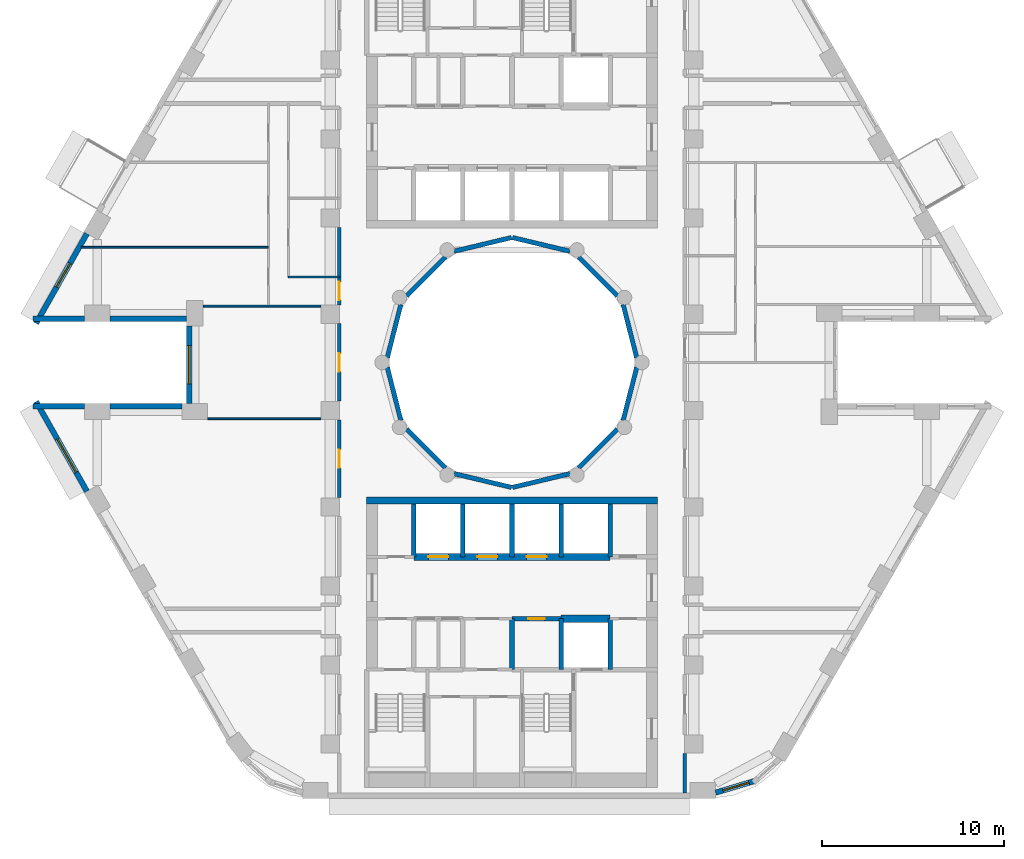
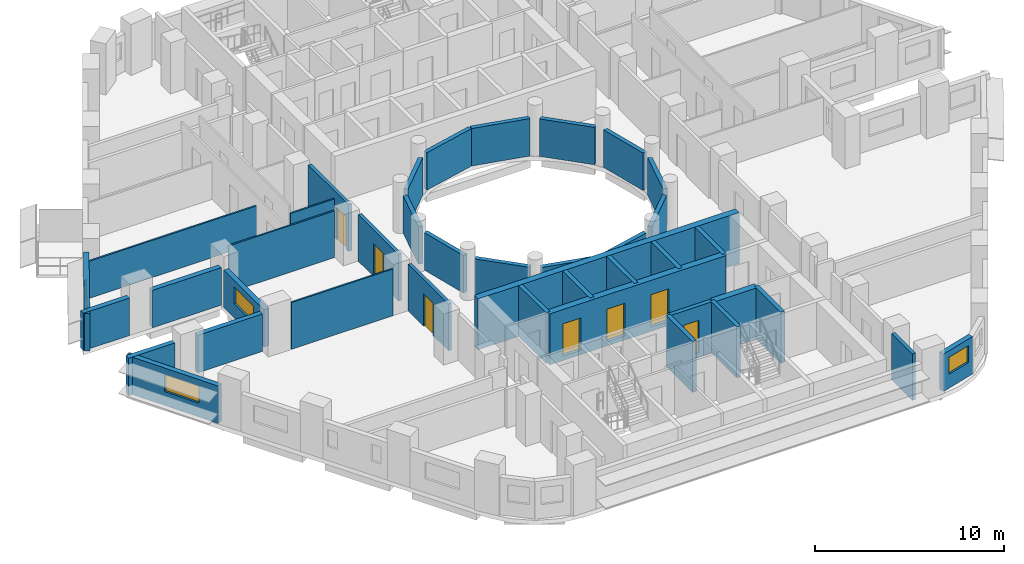
# One storey, part 4 of 14: 40 walls, 7 doors, 4 windows, 11 openings.
"""IFC4 building model written with IfcOpenShell, lengths in metres."""

from ifc_helpers import new_model, si_unit, direction, frame, frame_2d, origin, place, context, subcontext, project, spatial, rectangle, extrude, material, layer, layer_set, type_object, element, fill, save


model = new_model("IFC4")

# Units and contexts
model_context = context("Model", 3, precision=1e-05, world=origin(), true_north=direction((0.0, 1.0)))
body_context = subcontext(model_context, "Body", "Model", "MODEL_VIEW")
ifc_project = project(units=[si_unit("LENGTHUNIT", "METRE"), si_unit("AREAUNIT", "SQUARE_METRE"), si_unit("VOLUMEUNIT", "CUBIC_METRE"), si_unit("PLANEANGLEUNIT", "RADIAN"), si_unit("MASSUNIT", "GRAM", prefix="KILO")], contexts=[model_context])

# Site, building, storey
site_placement = place(None, origin())
site = spatial("IfcSite", under=ifc_project, at=site_placement, CompositionType="ELEMENT")
building_placement = place(site_placement, origin())
building = spatial("IfcBuilding", under=site, at=building_placement, Name="Nakaniwa Court", CompositionType="ELEMENT")
storey_placement = place(building_placement, frame((0.0, 0.0, 114.0)))
storey = spatial("IfcBuildingStorey", under=building, at=storey_placement, Name="L30", CompositionType="ELEMENT", Elevation=114.0)

# Wall
ifc_material_1 = material(Name="Acoustic double stud partition")
ifc_layer_1 = layer(ifc_material_1, 0.199951171875)
ifc_layer_set_1 = layer_set([ifc_layer_1], Name="Acoustic double stud partition")
wall_type_1 = type_object("IfcWallType", Name="Acoustic double stud partition 200", PredefinedType="PARTITIONING", material=ifc_layer_set_1)
wall_1_placement = place(storey_placement, frame((89.5, 56.300048828125, 0.0), z_axis=(0.0, 0.0, 1.0), x_axis=(0.0, 1.0, 0.0)))
element("IfcWall", 1, at=wall_1_placement, inside=storey, type_object=wall_type_1, Name="Partition PW-069", PredefinedType="PARTITIONING", context=body_context, shape_type="SweptSolid", body=[
    extrude(rectangle(XDim=2.182861328125, YDim=0.199951171875, at=frame_2d((1.09130859375, 0.0))), origin(), (0.0, 0.0, 1.0), 3.02490234375),
])

# Wall, opening, door
wall_2_placement = place(storey_placement, frame((70.5, 72.56689453125, 0.0), z_axis=(0.0, 0.0, 1.0), x_axis=(0.0, 1.0, 0.0)))
wall_2 = element("IfcWall", 2, at=wall_2_placement, inside=storey, type_object=wall_type_1, Name="Partition PW-103", PredefinedType="PARTITIONING", context=body_context, shape_type="SweptSolid", body=[
    extrude(rectangle(XDim=4.26611328125, YDim=0.199951171875, at=frame_2d((2.133056640625, 0.0))), origin(), (0.0, 0.0, 1.0), 3.02490234375),
])
opening_1_placement = place(wall_2_placement, frame((1.633056640625, 0.0, 0.0)))
opening_1 = element("IfcOpeningElement", 3, at=opening_1_placement, cuts=wall_2, Name="Opening D-02-05", PredefinedType="OPENING", context=body_context, shape_type="SweptSolid", body=[
    extrude(rectangle(XDim=1.0, YDim=2.10009765625, at=frame_2d((0.5, 1.050048828125))), frame((0.0, 0.10986328125, 0.0), z_axis=(0.0, -1.0, 0.0), x_axis=(1.0, 0.0, 0.0)), (0.0, 0.0, 1.0), 0.219970703125),
])
ifc_material_2 = material(Name="Solid core timber door set, black veneer", Category="wood")
door_type_1 = type_object("IfcDoorType", Name="Internal door 1000", OperationType="NOTDEFINED", PredefinedType="DOOR", material=ifc_material_2)
door_1_placement = place(opening_1_placement, origin())
door_1 = element("IfcDoor", 4, at=door_1_placement, inside=storey, type_object=door_type_1, Name="Door D-02-05 L30-037", OperationType="SINGLE_SWING_RIGHT", OverallHeight=2.10009765625, OverallWidth=1.0, PredefinedType="DOOR", context=body_context, shape_type="SweptSolid", body=[
    extrude(rectangle(XDim=1.0, YDim=2.10009765625, at=frame_2d((0.5, 1.050048828125))), frame((0.0, 0.02490234375, 0.0), z_axis=(0.0, -1.0, 0.0), x_axis=(1.0, 0.0, 0.0)), (0.0, 0.0, 1.0), 0.050048828125),
])
fill(opening_1, door_1)

wall_3_placement = place(storey_placement, frame((70.5, 77.866943359375, 0.0), z_axis=(0.0, 0.0, 1.0), x_axis=(0.0, 1.0, 0.0)))
wall_3 = element("IfcWall", 5, at=wall_3_placement, inside=storey, type_object=wall_type_1, Name="Partition PW-104", PredefinedType="PARTITIONING", context=body_context, shape_type="SweptSolid", body=[
    extrude(rectangle(XDim=4.26611328125, YDim=0.199951171875, at=frame_2d((2.133056640625, 0.0))), origin(), (0.0, 0.0, 1.0), 3.02490234375),
])
opening_2_placement = place(wall_3_placement, frame((1.633056640625, 0.0, 0.0)))
opening_2 = element("IfcOpeningElement", 6, at=opening_2_placement, cuts=wall_3, Name="Opening D-02-06", PredefinedType="OPENING", context=body_context, shape_type="SweptSolid", body=[
    extrude(rectangle(XDim=1.0, YDim=2.10009765625, at=frame_2d((0.5, 1.050048828125))), frame((0.0, 0.10986328125, 0.0), z_axis=(0.0, -1.0, 0.0), x_axis=(1.0, 0.0, 0.0)), (0.0, 0.0, 1.0), 0.219970703125),
])
door_2_placement = place(opening_2_placement, origin())
door_2 = element("IfcDoor", 7, at=door_2_placement, inside=storey, type_object=door_type_1, Name="Door D-02-06 L30-038", OperationType="SINGLE_SWING_LEFT", OverallHeight=2.10009765625, OverallWidth=1.0, PredefinedType="DOOR", context=body_context, shape_type="SweptSolid", body=[
    extrude(rectangle(XDim=1.0, YDim=2.10009765625, at=frame_2d((0.5, 1.050048828125))), frame((0.0, 0.02490234375, 0.0), z_axis=(0.0, -1.0, 0.0), x_axis=(1.0, 0.0, 0.0)), (0.0, 0.0, 1.0), 0.050048828125),
])
fill(opening_2, door_2)

wall_4_placement = place(storey_placement, frame((70.5, 83.1669921875, 0.0), z_axis=(0.0, 0.0, 1.0), x_axis=(0.0, 1.0, 0.0)))
wall_4 = element("IfcWall", 8, at=wall_4_placement, inside=storey, type_object=wall_type_1, Name="Partition PW-105", PredefinedType="PARTITIONING", context=body_context, shape_type="SweptSolid", body=[
    extrude(rectangle(XDim=4.26611328125, YDim=0.199951171875, at=frame_2d((2.133056640625, 0.0))), origin(), (0.0, 0.0, 1.0), 3.02490234375),
])
opening_3_placement = place(wall_4_placement, frame((0.26806640625, 0.0, 0.0)))
opening_3 = element("IfcOpeningElement", 9, at=opening_3_placement, cuts=wall_4, Name="Opening D-01-02", PredefinedType="OPENING", context=body_context, shape_type="SweptSolid", body=[
    extrude(rectangle(XDim=1.0, YDim=2.10009765625, at=frame_2d((0.5, 1.050048828125))), frame((0.0, 0.10986328125, 0.0), z_axis=(0.0, -1.0, 0.0), x_axis=(1.0, 0.0, 0.0)), (0.0, 0.0, 1.0), 0.219970703125),
])
door_type_2 = type_object("IfcDoorType", Name="Flat entrance door 1000", OperationType="NOTDEFINED", PredefinedType="DOOR", material=ifc_material_2)
door_3_placement = place(opening_3_placement, origin())
door_3 = element("IfcDoor", 10, at=door_3_placement, inside=storey, type_object=door_type_2, Name="Door D-01-02 L30-039", OperationType="SINGLE_SWING_RIGHT", OverallHeight=2.10009765625, OverallWidth=1.0, PredefinedType="DOOR", context=body_context, shape_type="SweptSolid", body=[
    extrude(rectangle(XDim=1.0, YDim=2.10009765625, at=frame_2d((0.5, 1.050048828125))), frame((0.0, 0.02490234375, 0.0), z_axis=(0.0, -1.0, 0.0), x_axis=(1.0, 0.0, 0.0)), (0.0, 0.0, 1.0), 0.050048828125),
])
fill(opening_3, door_3)

# Wall, opening, window
ifc_material_3 = material(Name="Charcoal ceramic cladding")
ifc_layer_2 = layer(ifc_material_3, 0.02, Name="Ceramic cladding")
ifc_material_4 = material(Name="Ventilated air cavity")
ifc_layer_3 = layer(ifc_material_4, 0.04, ventilated=True, Name="Ventilated cavity")
ifc_material_5 = material(Name="Mineral wool insulation")
ifc_layer_4 = layer(ifc_material_5, 0.1, Name="Insulation")
ifc_material_6 = material(Name="Cement bonded sheathing board")
ifc_layer_5 = layer(ifc_material_6, 0.012, Name="Sheathing")
ifc_material_7 = material(Name="Cold-formed galvanised stud frame with mineral wool infill")
ifc_layer_6 = layer(ifc_material_7, 0.1, Name="Stud frame")
ifc_material_8 = material(Name="Fire-rated gypsum plasterboard lining")
ifc_layer_7 = layer(ifc_material_8, 0.028, Name="Lining")
ifc_layer_set_2 = layer_set([ifc_layer_2, ifc_layer_3, ifc_layer_4, ifc_layer_5, ifc_layer_6, ifc_layer_7], Name="Charcoal ceramic faced external wall system")
wall_type_2 = type_object("IfcWallType", Name="Black ceramic faced external wall 300", PredefinedType="SOLIDWALL", material=ifc_layer_set_2)
wall_5_placement = place(storey_placement, frame((56.609375, 87.09375, 0.0), z_axis=(0.0, 0.0, 1.0), x_axis=(-0.492456858874, -0.870336855561, 0.0)))
wall_5 = element("IfcWall", 11, at=wall_5_placement, inside=storey, type_object=wall_type_2, Name="L30 external wall 14", PredefinedType="SOLIDWALL", context=body_context, shape_type="SweptSolid", body=[
    extrude(rectangle(XDim=5.676513671875, YDim=0.300048828125, at=frame_2d((2.83837890625, 0.0))), origin(), (0.0, 0.0, 1.0), 2.425048828125),
])
opening_4_placement = place(wall_5_placement, frame((1.8828125, 0.0, 0.89990234375)))
opening_4 = element("IfcOpeningElement", 12, at=opening_4_placement, cuts=wall_5, Name="Opening W5.12", PredefinedType="OPENING", context=body_context, shape_type="SweptSolid", body=[
    extrude(rectangle(XDim=1.5, YDim=1.10009765625, at=frame_2d((0.75, 0.550048828125))), frame((0.0, 0.159912109375, 0.0), z_axis=(0.0, -1.0, 0.0), x_axis=(1.0, 0.0, 0.0)), (0.0, 0.0, 1.0), 0.320068359375),
])
ifc_material_9 = material(Name="Black anodised aluminium frame with dark low-E laminated double glazing", Category="aluminium")
window_type_1 = type_object("IfcWindowType", Name="Dark glass window 1500x1100 sill 900", PartitioningType="SINGLE_PANEL", PredefinedType="WINDOW", material=ifc_material_9)
window_1_placement = place(opening_4_placement, origin())
window_1 = element("IfcWindow", 13, at=window_1_placement, inside=storey, type_object=window_type_1, Name="L30 bedroom window 14-1", OverallHeight=1.10009765625, OverallWidth=1.5, PartitioningType="SINGLE_PANEL", PredefinedType="WINDOW", context=body_context, shape_type="SweptSolid", body=[
    extrude(rectangle(XDim=1.5, YDim=1.10009765625, at=frame_2d((0.75, 0.550048828125))), frame((0.0, 0.030029296875, 0.0), z_axis=(0.0, -1.0, 0.0), x_axis=(1.0, 0.0, 0.0)), (0.0, 0.0, 1.0), 0.06005859375),
])
fill(opening_4, window_1)

# Walls
wall_6_placement = place(storey_placement, frame((53.643310546875, 82.39990234375, 0.0), z_axis=(0.0, 0.0, 1.0), x_axis=(1.0, 0.0, 0.0)))
element("IfcWall", 14, at=wall_6_placement, inside=storey, type_object=wall_type_2, Name="L30 external wall 15", PredefinedType="SOLIDWALL", context=body_context, shape_type="SweptSolid", body=[
    extrude(rectangle(XDim=2.837890625, YDim=0.300048828125, at=frame_2d((1.4189453125, 0.0))), origin(), (0.0, 0.0, 1.0), 2.425048828125),
])
wall_7_placement = place(storey_placement, frame((57.873046875, 82.39990234375, 0.0), z_axis=(0.0, 0.0, 1.0), x_axis=(1.0, 0.0, 0.0)))
element("IfcWall", 15, at=wall_7_placement, inside=storey, type_object=wall_type_2, Name="L30 external wall 16", PredefinedType="SOLIDWALL", context=body_context, shape_type="SweptSolid", body=[
    extrude(rectangle(XDim=4.22265625, YDim=0.300048828125, at=frame_2d((2.111328125, 0.0))), origin(), (0.0, 0.0, 1.0), 2.425048828125),
])

# Wall, opening, window
wall_8_placement = place(storey_placement, frame((62.24169921875, 82.00390625, 0.0), z_axis=(0.0, 0.0, 1.0), x_axis=(0.0, -1.0, 0.0)))
wall_8 = element("IfcWall", 16, at=wall_8_placement, inside=storey, type_object=wall_type_2, Name="L30 external wall 17", PredefinedType="SOLIDWALL", context=body_context, shape_type="SweptSolid", body=[
    extrude(rectangle(XDim=4.2578125, YDim=0.300048828125, at=frame_2d((2.12890625, 0.0))), origin(), (0.0, 0.0, 1.0), 2.425048828125),
])
opening_5_placement = place(wall_8_placement, frame((1.0791015625, 0.0, 0.89990234375)))
opening_5 = element("IfcOpeningElement", 17, at=opening_5_placement, cuts=wall_8, Name="Opening W7.13", PredefinedType="OPENING", context=body_context, shape_type="SweptSolid", body=[
    extrude(rectangle(XDim=2.10009765625, YDim=1.10009765625, at=frame_2d((1.050048828125, 0.550048828125))), frame((0.0, 0.159912109375, 0.0), z_axis=(0.0, -1.0, 0.0), x_axis=(1.0, 0.0, 0.0)), (0.0, 0.0, 1.0), 0.320068359375),
])
window_type_2 = type_object("IfcWindowType", Name="Dark glass window 2100x1100 sill 900", PartitioningType="SINGLE_PANEL", PredefinedType="WINDOW", material=ifc_material_9)
window_2_placement = place(opening_5_placement, origin())
window_2 = element("IfcWindow", 18, at=window_2_placement, inside=storey, type_object=window_type_2, Name="L30 habitable room window 17-0", OverallHeight=1.10009765625, OverallWidth=2.10009765625, PartitioningType="SINGLE_PANEL", PredefinedType="WINDOW", context=body_context, shape_type="SweptSolid", body=[
    extrude(rectangle(XDim=2.10009765625, YDim=1.10009765625, at=frame_2d((1.050048828125, 0.550048828125))), frame((0.0, 0.030029296875, 0.0), z_axis=(0.0, -1.0, 0.0), x_axis=(1.0, 0.0, 0.0)), (0.0, 0.0, 1.0), 0.06005859375),
])
fill(opening_5, window_2)

# Walls
wall_9_placement = place(storey_placement, frame((61.845703125, 77.60009765625, 0.0), z_axis=(0.0, 0.0, 1.0), x_axis=(-1.0, 0.0, 0.0)))
element("IfcWall", 19, at=wall_9_placement, inside=storey, type_object=wall_type_2, Name="L30 external wall 18", PredefinedType="SOLIDWALL", context=body_context, shape_type="SweptSolid", body=[
    extrude(rectangle(XDim=3.97265625, YDim=0.300048828125, at=frame_2d((1.986328125, 0.0))), origin(), (0.0, 0.0, 1.0), 2.425048828125),
])
wall_10_placement = place(storey_placement, frame((56.481201171875, 77.60009765625, 0.0), z_axis=(0.0, 0.0, 1.0), x_axis=(-1.0, 0.0, 0.0)))
element("IfcWall", 20, at=wall_10_placement, inside=storey, type_object=wall_type_2, Name="L30 external wall 19", PredefinedType="SOLIDWALL", context=body_context, shape_type="SweptSolid", body=[
    extrude(rectangle(XDim=2.837890625, YDim=0.300048828125, at=frame_2d((1.4189453125, 0.0))), origin(), (0.0, 0.0, 1.0), 2.425048828125),
])

# Wall, opening, window
wall_11_placement = place(storey_placement, frame((53.81396484375, 77.8466796875, 0.0), z_axis=(0.0, 0.0, 1.0), x_axis=(0.492456858874, -0.870336855561, 0.0)))
wall_11 = element("IfcWall", 21, at=wall_11_placement, inside=storey, type_object=wall_type_2, Name="L30 external wall 20", PredefinedType="SOLIDWALL", context=body_context, shape_type="SweptSolid", body=[
    extrude(rectangle(XDim=5.676513671875, YDim=0.300048828125, at=frame_2d((2.83837890625, 0.0))), origin(), (0.0, 0.0, 1.0), 2.425048828125),
])
opening_6_placement = place(wall_11_placement, frame((2.367431640625, 0.0, 0.89990234375)))
opening_6 = element("IfcOpeningElement", 22, at=opening_6_placement, cuts=wall_11, Name="Opening W7.14", PredefinedType="OPENING", context=body_context, shape_type="SweptSolid", body=[
    extrude(rectangle(XDim=2.10009765625, YDim=1.10009765625, at=frame_2d((1.050048828125, 0.550048828125))), frame((0.0, 0.159912109375, 0.0), z_axis=(0.0, -1.0, 0.0), x_axis=(1.0, 0.0, 0.0)), (0.0, 0.0, 1.0), 0.320068359375),
])
window_3_placement = place(opening_6_placement, origin())
window_3 = element("IfcWindow", 23, at=window_3_placement, inside=storey, type_object=window_type_2, Name="L30 habitable room window 20-0", OverallHeight=1.10009765625, OverallWidth=2.10009765625, PartitioningType="SINGLE_PANEL", PredefinedType="WINDOW", context=body_context, shape_type="SweptSolid", body=[
    extrude(rectangle(XDim=2.10009765625, YDim=1.10009765625, at=frame_2d((1.050048828125, 0.550048828125))), frame((0.0, 0.030029296875, 0.0), z_axis=(0.0, -1.0, 0.0), x_axis=(1.0, 0.0, 0.0)), (0.0, 0.0, 1.0), 0.06005859375),
])
fill(opening_6, window_3)

wall_12_placement = place(storey_placement, frame((91.203369140625, 56.329833984375, 0.0), z_axis=(0.0, 0.0, 1.0), x_axis=(0.95847736903, 0.285168604614, 0.0)))
wall_12 = element("IfcWall", 24, at=wall_12_placement, inside=storey, type_object=wall_type_2, Name="L30 external wall 27", PredefinedType="SOLIDWALL", context=body_context, shape_type="SweptSolid", body=[
    extrude(rectangle(XDim=2.261962890625, YDim=0.300048828125, at=frame_2d((1.130859375, 0.0))), origin(), (0.0, 0.0, 1.0), 2.425048828125),
])
opening_7_placement = place(wall_12_placement, frame((0.418701171875, 0.0, 0.89990234375)))
opening_7 = element("IfcOpeningElement", 25, at=opening_7_placement, cuts=wall_12, Name="Opening W5.21", PredefinedType="OPENING", context=body_context, shape_type="SweptSolid", body=[
    extrude(rectangle(XDim=1.5, YDim=1.10009765625, at=frame_2d((0.75, 0.550048828125))), frame((0.0, 0.159912109375, 0.0), z_axis=(0.0, -1.0, 0.0), x_axis=(1.0, 0.0, 0.0)), (0.0, 0.0, 1.0), 0.320068359375),
])
window_4_placement = place(opening_7_placement, origin())
window_4 = element("IfcWindow", 26, at=window_4_placement, inside=storey, type_object=window_type_1, Name="L30 habitable room window 27-0", OverallHeight=1.10009765625, OverallWidth=1.5, PartitioningType="SINGLE_PANEL", PredefinedType="WINDOW", context=body_context, shape_type="SweptSolid", body=[
    extrude(rectangle(XDim=1.5, YDim=1.10009765625, at=frame_2d((0.75, 0.550048828125))), frame((0.0, 0.030029296875, 0.0), z_axis=(0.0, -1.0, 0.0), x_axis=(1.0, 0.0, 0.0)), (0.0, 0.0, 1.0), 0.06005859375),
])
fill(opening_7, window_4)

# Walls
ifc_layer_8 = layer(ifc_material_3, 0.02, Name="Ceramic cladding")
ifc_layer_9 = layer(ifc_material_4, 0.04, ventilated=True, Name="Ventilated cavity")
ifc_layer_10 = layer(ifc_material_5, 0.075, Name="Insulation")
ifc_layer_11 = layer(ifc_material_6, 0.012, Name="Sheathing")
ifc_layer_12 = layer(ifc_material_7, 0.075, Name="Stud frame")
ifc_layer_13 = layer(ifc_material_8, 0.028, Name="Lining")
ifc_layer_set_3 = layer_set([ifc_layer_8, ifc_layer_9, ifc_layer_10, ifc_layer_11, ifc_layer_12, ifc_layer_13], Name="Charcoal ceramic faced external wall system")
wall_type_3 = type_object("IfcWallType", Name="Charcoal ceramic faced well wall 250", PredefinedType="SOLIDWALL", material=ifc_layer_set_3)
wall_13_placement = place(storey_placement, frame((86.8603515625, 79.72998046875, 0.0), z_axis=(0.0, 0.0, 1.0), x_axis=(-0.247055971283, -0.969001211069, 0.0)))
element("IfcWall", 27, at=wall_13_placement, inside=storey, type_object=wall_type_3, Name="L30 external wall 36", PredefinedType="SOLIDWALL", context=body_context, shape_type="SweptSolid", body=[
    extrude(rectangle(XDim=3.010009765625, YDim=0.25, at=frame_2d((1.5048828125, 0.0))), origin(), (0.0, 0.0, 1.0), 2.425048828125),
])
wall_14_placement = place(storey_placement, frame((85.8056640625, 76.339111328125, 0.0), z_axis=(0.0, 0.0, 1.0), x_axis=(-0.707106781187, -0.707106781187, 0.0)))
element("IfcWall", 28, at=wall_14_placement, inside=storey, type_object=wall_type_3, Name="L30 external wall 37", PredefinedType="SOLIDWALL", context=body_context, shape_type="SweptSolid", body=[
    extrude(rectangle(XDim=3.033203125, YDim=0.25, at=frame_2d((1.5166015625, 0.0))), origin(), (0.0, 0.0, 1.0), 2.425048828125),
])
for number, where, z_axis, x_axis, name in (
    (29, (83.186279296875, 73.880615234375, 0.0), (0.0, 0.0, 1.0), (-0.972773113459, -0.231759508395, 0.0), "L30 external wall 38"),
    (30, (79.970947265625, 73.12841796875, 0.0), (0.0, 0.0, 1.0), (-0.972773113459, 0.231759508395, 0.0), "L30 external wall 39"),
):
    element("IfcWall", number, at=place(storey_placement, frame(where, z_axis=z_axis, x_axis=x_axis)), inside=storey, type_object=wall_type_3, Name=name, PredefinedType="SOLIDWALL", context=body_context, shape_type="SweptSolid", body=[
        extrude(rectangle(XDim=3.24560546875, YDim=0.25, at=frame_2d((1.622802734375, 0.0))), origin(), (0.0, 0.0, 1.0), 2.425048828125),
    ])
wall_15_placement = place(storey_placement, frame((76.339111328125, 74.1943359375, 0.0), z_axis=(0.0, 0.0, 1.0), x_axis=(-0.707106781187, 0.707106781187, 0.0)))
element("IfcWall", 31, at=wall_15_placement, inside=storey, type_object=wall_type_3, Name="L30 external wall 40", PredefinedType="SOLIDWALL", context=body_context, shape_type="SweptSolid", body=[
    extrude(rectangle(XDim=3.033203125, YDim=0.25, at=frame_2d((1.5166015625, 0.0))), origin(), (0.0, 0.0, 1.0), 2.425048828125),
])
for number, where, z_axis, x_axis, name in (
    (32, (73.88330078125, 76.813232421875, 0.0), (0.0, 0.0, 1.0), (-0.247055971283, 0.969001211069, 0.0), "L30 external wall 41"),
    (33, (73.1396484375, 80.27001953125, 0.0), (0.0, 0.0, 1.0), (0.247055971283, 0.969001211069, 0.0), "L30 external wall 42"),
):
    element("IfcWall", number, at=place(storey_placement, frame(where, z_axis=z_axis, x_axis=x_axis)), inside=storey, type_object=wall_type_3, Name=name, PredefinedType="SOLIDWALL", context=body_context, shape_type="SweptSolid", body=[
        extrude(rectangle(XDim=3.010009765625, YDim=0.25, at=frame_2d((1.5048828125, 0.0))), origin(), (0.0, 0.0, 1.0), 2.425048828125),
    ])
wall_16_placement = place(storey_placement, frame((74.1943359375, 83.660888671875, 0.0), z_axis=(0.0, 0.0, 1.0), x_axis=(0.707106781187, 0.707106781187, 0.0)))
element("IfcWall", 34, at=wall_16_placement, inside=storey, type_object=wall_type_3, Name="L30 external wall 43", PredefinedType="SOLIDWALL", context=body_context, shape_type="SweptSolid", body=[
    extrude(rectangle(XDim=3.033203125, YDim=0.25, at=frame_2d((1.5166015625, 0.0))), origin(), (0.0, 0.0, 1.0), 2.425048828125),
])
for number, where, z_axis, x_axis, name in (
    (35, (76.813720703125, 86.119384765625, 0.0), (0.0, 0.0, 1.0), (0.972773113459, 0.231759508395, 0.0), "L30 external wall 44"),
    (36, (80.029052734375, 86.87158203125, 0.0), (0.0, 0.0, 1.0), (0.972773113459, -0.231759508395, 0.0), "L30 external wall 45"),
):
    element("IfcWall", number, at=place(storey_placement, frame(where, z_axis=z_axis, x_axis=x_axis)), inside=storey, type_object=wall_type_3, Name=name, PredefinedType="SOLIDWALL", context=body_context, shape_type="SweptSolid", body=[
        extrude(rectangle(XDim=3.24560546875, YDim=0.25, at=frame_2d((1.622802734375, 0.0))), origin(), (0.0, 0.0, 1.0), 2.425048828125),
    ])
wall_17_placement = place(storey_placement, frame((83.660888671875, 85.8056640625, 0.0), z_axis=(0.0, 0.0, 1.0), x_axis=(0.707106781187, -0.707106781187, 0.0)))
element("IfcWall", 37, at=wall_17_placement, inside=storey, type_object=wall_type_3, Name="L30 external wall 46", PredefinedType="SOLIDWALL", context=body_context, shape_type="SweptSolid", body=[
    extrude(rectangle(XDim=3.033203125, YDim=0.25, at=frame_2d((1.5166015625, 0.0))), origin(), (0.0, 0.0, 1.0), 2.425048828125),
])
wall_18_placement = place(storey_placement, frame((86.11669921875, 83.186767578125, 0.0), z_axis=(0.0, 0.0, 1.0), x_axis=(0.247055971283, -0.969001211069, 0.0)))
element("IfcWall", 38, at=wall_18_placement, inside=storey, type_object=wall_type_3, Name="L30 external wall 47", PredefinedType="SOLIDWALL", context=body_context, shape_type="SweptSolid", body=[
    extrude(rectangle(XDim=3.010009765625, YDim=0.25, at=frame_2d((1.5048828125, 0.0))), origin(), (0.0, 0.0, 1.0), 2.425048828125),
])

# Wall, openings, doors
ifc_material_10 = material(Name="Concrete C80/100", Category="concrete")
ifc_layer_14 = layer(ifc_material_10, 0.39990234375)
ifc_layer_set_4 = layer_set([ifc_layer_14], Name="Concrete C80/100")
wall_type_4 = type_object("IfcWallType", Name="Concrete core spine wall 400 C80", PredefinedType="SHEAR", material=ifc_layer_set_4)
wall_19_placement = place(storey_placement, frame((74.60009765625, 69.300048828125, -0.27490234375), z_axis=(0.0, 0.0, 1.0), x_axis=(1.0, 0.0, 0.0)))
wall_19 = element("IfcWall", 39, at=wall_19_placement, inside=storey, type_object=wall_type_4, Name="Core wall SW-41", PredefinedType="SHEAR", context=body_context, shape_type="SweptSolid", body=[
    extrude(rectangle(XDim=10.7998046875, YDim=0.39990234375, at=frame_2d((5.39990234375, 0.0))), origin(), (0.0, 0.0, 1.0), 3.2998046875),
])
opening_8_placement = place(wall_19_placement, frame((0.800048828125, 0.0, 0.27490234375)))
opening_8 = element("IfcOpeningElement", 40, at=opening_8_placement, cuts=wall_19, Name="Opening LD05", PredefinedType="OPENING", context=body_context, shape_type="SweptSolid", body=[
    extrude(rectangle(XDim=1.10009765625, YDim=2.10009765625, at=frame_2d((0.550048828125, 1.050048828125))), frame((0.0, 0.2099609375, 0.0), z_axis=(0.0, -1.0, 0.0), x_axis=(1.0, 0.0, 0.0)), (0.0, 0.0, 1.0), 0.419921875),
])
opening_9_placement = place(wall_19_placement, frame((3.5, 0.0, 0.27490234375)))
opening_9 = element("IfcOpeningElement", 41, at=opening_9_placement, cuts=wall_19, Name="Opening LD06", PredefinedType="OPENING", context=body_context, shape_type="SweptSolid", body=[
    extrude(rectangle(XDim=1.10009765625, YDim=2.10009765625, at=frame_2d((0.550048828125, 1.050048828125))), frame((0.0, 0.2099609375, 0.0), z_axis=(0.0, -1.0, 0.0), x_axis=(1.0, 0.0, 0.0)), (0.0, 0.0, 1.0), 0.419921875),
])
opening_10_placement = place(wall_19_placement, frame((6.199951171875, 0.0, 0.27490234375)))
opening_10 = element("IfcOpeningElement", 42, at=opening_10_placement, cuts=wall_19, Name="Opening LD07", PredefinedType="OPENING", context=body_context, shape_type="SweptSolid", body=[
    extrude(rectangle(XDim=1.10009765625, YDim=2.10009765625, at=frame_2d((0.550048828125, 1.050048828125))), frame((0.0, 0.2099609375, 0.0), z_axis=(0.0, -1.0, 0.0), x_axis=(1.0, 0.0, 0.0)), (0.0, 0.0, 1.0), 0.419921875),
])
ifc_material_11 = material(Name="Stainless steel sliding lift landing door", Category="steel")
door_type_3 = type_object("IfcDoorType", Name="Lift landing door 1100", OperationType="NOTDEFINED", PredefinedType="DOOR", material=ifc_material_11)
door_4_placement = place(opening_8_placement, origin())
door_4 = element("IfcDoor", 43, at=door_4_placement, inside=storey, type_object=door_type_3, Name="Lift landing door LD05 L30-005", OperationType="SLIDING_TO_LEFT", OverallHeight=2.10009765625, OverallWidth=1.10009765625, PredefinedType="DOOR", context=body_context, shape_type="SweptSolid", body=[
    extrude(rectangle(XDim=1.10009765625, YDim=2.10009765625, at=frame_2d((0.550048828125, 1.050048828125))), frame((0.0, 0.02490234375, 0.0), z_axis=(0.0, -1.0, 0.0), x_axis=(1.0, 0.0, 0.0)), (0.0, 0.0, 1.0), 0.050048828125),
])
fill(opening_8, door_4)
door_5_placement = place(opening_9_placement, origin())
door_5 = element("IfcDoor", 44, at=door_5_placement, inside=storey, type_object=door_type_3, Name="Lift landing door LD06 L30-006", OperationType="SLIDING_TO_LEFT", OverallHeight=2.10009765625, OverallWidth=1.10009765625, PredefinedType="DOOR", context=body_context, shape_type="SweptSolid", body=[
    extrude(rectangle(XDim=1.10009765625, YDim=2.10009765625, at=frame_2d((0.550048828125, 1.050048828125))), frame((0.0, 0.02490234375, 0.0), z_axis=(0.0, -1.0, 0.0), x_axis=(1.0, 0.0, 0.0)), (0.0, 0.0, 1.0), 0.050048828125),
])
fill(opening_9, door_5)
door_6_placement = place(opening_10_placement, origin())
door_6 = element("IfcDoor", 45, at=door_6_placement, inside=storey, type_object=door_type_3, Name="Lift landing door LD07 L30-007", OperationType="SLIDING_TO_LEFT", OverallHeight=2.10009765625, OverallWidth=1.10009765625, PredefinedType="DOOR", context=body_context, shape_type="SweptSolid", body=[
    extrude(rectangle(XDim=1.10009765625, YDim=2.10009765625, at=frame_2d((0.550048828125, 1.050048828125))), frame((0.0, 0.02490234375, 0.0), z_axis=(0.0, -1.0, 0.0), x_axis=(1.0, 0.0, 0.0)), (0.0, 0.0, 1.0), 0.050048828125),
])
fill(opening_10, door_6)

# Walls
wall_20_placement = place(storey_placement, frame((82.697021484375, 65.89990234375, -0.27490234375), z_axis=(0.0, 0.0, 1.0), x_axis=(1.0, 0.0, 0.0)))
element("IfcWall", 46, at=wall_20_placement, inside=storey, type_object=wall_type_4, Name="Core wall SW-55", PredefinedType="SHEAR", context=body_context, shape_type="SweptSolid", body=[
    extrude(rectangle(XDim=2.7060546875, YDim=0.39990234375, at=frame_2d((1.35302734375, 0.0))), origin(), (0.0, 0.0, 1.0), 3.2998046875),
])
ifc_layer_15 = layer(ifc_material_10, 0.39990234375)
ifc_layer_set_5 = layer_set([ifc_layer_15], Name="Concrete C80/100")
wall_type_5 = type_object("IfcWallType", Name="Concrete core well wall 400 C80", PredefinedType="SHEAR", material=ifc_layer_set_5)
wall_21_placement = place(storey_placement, frame((72.00390625, 72.39990234375, -0.27490234375), z_axis=(0.0, 0.0, 1.0), x_axis=(1.0, 0.0, 0.0)))
element("IfcWall", 47, at=wall_21_placement, inside=storey, type_object=wall_type_5, Name="Core wall SW-129", PredefinedType="SHEAR", context=body_context, shape_type="SweptSolid", body=[
    extrude(rectangle(XDim=15.9921875, YDim=0.39990234375, at=frame_2d((7.99609375, 0.0))), origin(), (0.0, 0.0, 1.0), 3.2998046875),
])
ifc_layer_16 = layer(ifc_material_10, 0.25)
ifc_layer_set_6 = layer_set([ifc_layer_16], Name="Concrete C80/100")
wall_type_6 = type_object("IfcWallType", Name="Concrete shaft wall 250 C80", PredefinedType="SHEAR", material=ifc_layer_set_6)
for number, where, z_axis, x_axis, name in (
    (48, (74.60009765625, 69.300048828125, -0.27490234375), (0.0, 0.0, 1.0), (0.0, 1.0, 0.0), "Core wall SW-36"),
    (49, (77.300048828125, 69.300048828125, -0.27490234375), (0.0, 0.0, 1.0), (0.0, 1.0, 0.0), "Core wall SW-40"),
):
    element("IfcWall", number, at=place(storey_placement, frame(where, z_axis=z_axis, x_axis=x_axis)), inside=storey, type_object=wall_type_6, Name=name, PredefinedType="SHEAR", context=body_context, shape_type="SweptSolid", body=[
        extrude(rectangle(XDim=2.89990234375, YDim=0.25, at=frame_2d((1.449951171875, 0.0))), origin(), (0.0, 0.0, 1.0), 3.2998046875),
    ])
wall_22_placement = place(storey_placement, frame((80.0, 63.10009765625, -0.27490234375), z_axis=(0.0, 0.0, 1.0), x_axis=(0.0, 1.0, 0.0)))
element("IfcWall", 50, at=wall_22_placement, inside=storey, type_object=wall_type_6, Name="Core wall SW-42", PredefinedType="SHEAR", context=body_context, shape_type="SweptSolid", body=[
    extrude(rectangle(XDim=2.7998046875, YDim=0.25, at=frame_2d((1.39990234375, 0.0))), origin(), (0.0, 0.0, 1.0), 3.2998046875),
])
wall_23_placement = place(storey_placement, frame((80.0, 69.300048828125, -0.27490234375), z_axis=(0.0, 0.0, 1.0), x_axis=(0.0, 1.0, 0.0)))
element("IfcWall", 51, at=wall_23_placement, inside=storey, type_object=wall_type_6, Name="Core wall SW-43", PredefinedType="SHEAR", context=body_context, shape_type="SweptSolid", body=[
    extrude(rectangle(XDim=2.89990234375, YDim=0.25, at=frame_2d((1.449951171875, 0.0))), origin(), (0.0, 0.0, 1.0), 3.2998046875),
])
wall_24_placement = place(storey_placement, frame((82.699951171875, 63.10009765625, -0.27490234375), z_axis=(0.0, 0.0, 1.0), x_axis=(0.0, 1.0, 0.0)))
element("IfcWall", 52, at=wall_24_placement, inside=storey, type_object=wall_type_6, Name="Core wall SW-44", PredefinedType="SHEAR", context=body_context, shape_type="SweptSolid", body=[
    extrude(rectangle(XDim=2.7998046875, YDim=0.25, at=frame_2d((1.39990234375, 0.0))), origin(), (0.0, 0.0, 1.0), 3.2998046875),
])
wall_25_placement = place(storey_placement, frame((82.699951171875, 69.300048828125, -0.27490234375), z_axis=(0.0, 0.0, 1.0), x_axis=(0.0, 1.0, 0.0)))
element("IfcWall", 53, at=wall_25_placement, inside=storey, type_object=wall_type_6, Name="Core wall SW-45", PredefinedType="SHEAR", context=body_context, shape_type="SweptSolid", body=[
    extrude(rectangle(XDim=2.89990234375, YDim=0.25, at=frame_2d((1.449951171875, 0.0))), origin(), (0.0, 0.0, 1.0), 3.2998046875),
])
wall_26_placement = place(storey_placement, frame((85.39990234375, 63.10009765625, -0.27490234375), z_axis=(0.0, 0.0, 1.0), x_axis=(0.0, 1.0, 0.0)))
element("IfcWall", 54, at=wall_26_placement, inside=storey, type_object=wall_type_6, Name="Core wall SW-46", PredefinedType="SHEAR", context=body_context, shape_type="SweptSolid", body=[
    extrude(rectangle(XDim=2.7998046875, YDim=0.25, at=frame_2d((1.39990234375, 0.0))), origin(), (0.0, 0.0, 1.0), 3.2998046875),
])
wall_27_placement = place(storey_placement, frame((85.39990234375, 69.300048828125, -0.27490234375), z_axis=(0.0, 0.0, 1.0), x_axis=(0.0, 1.0, 0.0)))
element("IfcWall", 55, at=wall_27_placement, inside=storey, type_object=wall_type_6, Name="Core wall SW-47", PredefinedType="SHEAR", context=body_context, shape_type="SweptSolid", body=[
    extrude(rectangle(XDim=2.89990234375, YDim=0.25, at=frame_2d((1.449951171875, 0.0))), origin(), (0.0, 0.0, 1.0), 3.2998046875),
])

# Wall, opening, door
wall_28_placement = place(storey_placement, frame((82.702880859375, 65.89990234375, -0.27490234375), z_axis=(0.0, 0.0, 1.0), x_axis=(-1.0, 0.0, 0.0)))
wall_28 = element("IfcWall", 56, at=wall_28_placement, inside=storey, type_object=wall_type_6, Name="Core wall SW-54", PredefinedType="SHEAR", context=body_context, shape_type="SweptSolid", body=[
    extrude(rectangle(XDim=2.705810546875, YDim=0.25, at=frame_2d((1.35302734375, 0.0))), origin(), (0.0, 0.0, 1.0), 3.2998046875),
])
opening_11_placement = place(wall_28_placement, frame((0.903076171875, 0.0, 0.27490234375)))
opening_11 = element("IfcOpeningElement", 57, at=opening_11_placement, cuts=wall_28, Name="Opening D-05-13", PredefinedType="OPENING", context=body_context, shape_type="SweptSolid", body=[
    extrude(rectangle(XDim=0.89990234375, YDim=2.10009765625, at=frame_2d((0.449951171875, 1.050048828125))), frame((0.0, 0.135009765625, 0.0), z_axis=(0.0, -1.0, 0.0), x_axis=(1.0, 0.0, 0.0)), (0.0, 0.0, 1.0), 0.27001953125),
])
ifc_material_12 = material(Name="Fire rated steel door set", Category="steel")
door_type_4 = type_object("IfcDoorType", Name="Service room door 900", OperationType="NOTDEFINED", PredefinedType="DOOR", material=ifc_material_12)
door_7_placement = place(opening_11_placement, origin())
door_7 = element("IfcDoor", 58, at=door_7_placement, inside=storey, type_object=door_type_4, Name="Door D-05-13 L30-020", OperationType="SINGLE_SWING_LEFT", OverallHeight=2.10009765625, OverallWidth=0.89990234375, PredefinedType="DOOR", context=body_context, shape_type="SweptSolid", body=[
    extrude(rectangle(XDim=0.89990234375, YDim=2.10009765625, at=frame_2d((0.449951171875, 1.050048828125))), frame((0.0, 0.02490234375, 0.0), z_axis=(0.0, -1.0, 0.0), x_axis=(1.0, 0.0, 0.0)), (0.0, 0.0, 1.0), 0.050048828125),
])
fill(opening_11, door_7)

# Walls
ifc_material_13 = material(Name="Single stud plasterboard partition")
ifc_layer_17 = layer(ifc_material_13, 0.10009765625)
ifc_layer_set_7 = layer_set([ifc_layer_17], Name="Single stud plasterboard partition")
wall_type_7 = type_object("IfcWallType", Name="Single stud plasterboard partition 100", PredefinedType="PARTITIONING", material=ifc_layer_set_7)
wall_29_placement = place(storey_placement, frame((63.26171875, 76.89990234375, 0.0), z_axis=(0.0, 0.0, 1.0), x_axis=(1.0, 0.0, 0.0)))
element("IfcWall", 59, at=wall_29_placement, inside=storey, type_object=wall_type_7, Name="Partition PW-119", PredefinedType="PARTITIONING", context=body_context, shape_type="SweptSolid", body=[
    extrude(rectangle(XDim=6.21826171875, YDim=0.10009765625, at=frame_2d((3.109130859375, 0.0))), origin(), (0.0, 0.0, 1.0), 3.02490234375),
])
wall_30_placement = place(storey_placement, frame((63.01171875, 83.10009765625, 0.0), z_axis=(0.0, 0.0, 1.0), x_axis=(1.0, 0.0, 0.0)))
element("IfcWall", 60, at=wall_30_placement, inside=storey, type_object=wall_type_7, Name="Partition PW-120", PredefinedType="PARTITIONING", context=body_context, shape_type="SweptSolid", body=[
    extrude(rectangle(XDim=6.46826171875, YDim=0.10009765625, at=frame_2d((3.234130859375, 0.0))), origin(), (0.0, 0.0, 1.0), 3.02490234375),
])
wall_31_placement = place(storey_placement, frame((67.699951171875, 84.699951171875, 0.0), z_axis=(0.0, 0.0, 1.0), x_axis=(1.0, 0.0, 0.0)))
element("IfcWall", 61, at=wall_31_placement, inside=storey, type_object=wall_type_7, Name="Partition PW-122", PredefinedType="PARTITIONING", context=body_context, shape_type="SweptSolid", body=[
    extrude(rectangle(XDim=2.800048828125, YDim=0.10009765625, at=frame_2d((1.39990234375, 0.0))), origin(), (0.0, 0.0, 1.0), 2.5048828125),
])
wall_32_placement = place(storey_placement, frame((56.29248046875, 86.3369140625, 0.0), z_axis=(0.0, 0.0, 1.0), x_axis=(1.0, 0.0, 0.0)))
element("IfcWall", 62, at=wall_32_placement, inside=storey, type_object=wall_type_7, Name="Partition PW-125", PredefinedType="PARTITIONING", context=body_context, shape_type="SweptSolid", body=[
    extrude(rectangle(XDim=10.3076171875, YDim=0.10009765625, at=frame_2d((5.15380859375, 0.0))), origin(), (0.0, 0.0, 1.0), 2.405029296875),
])

save(model, "model.ifc")
